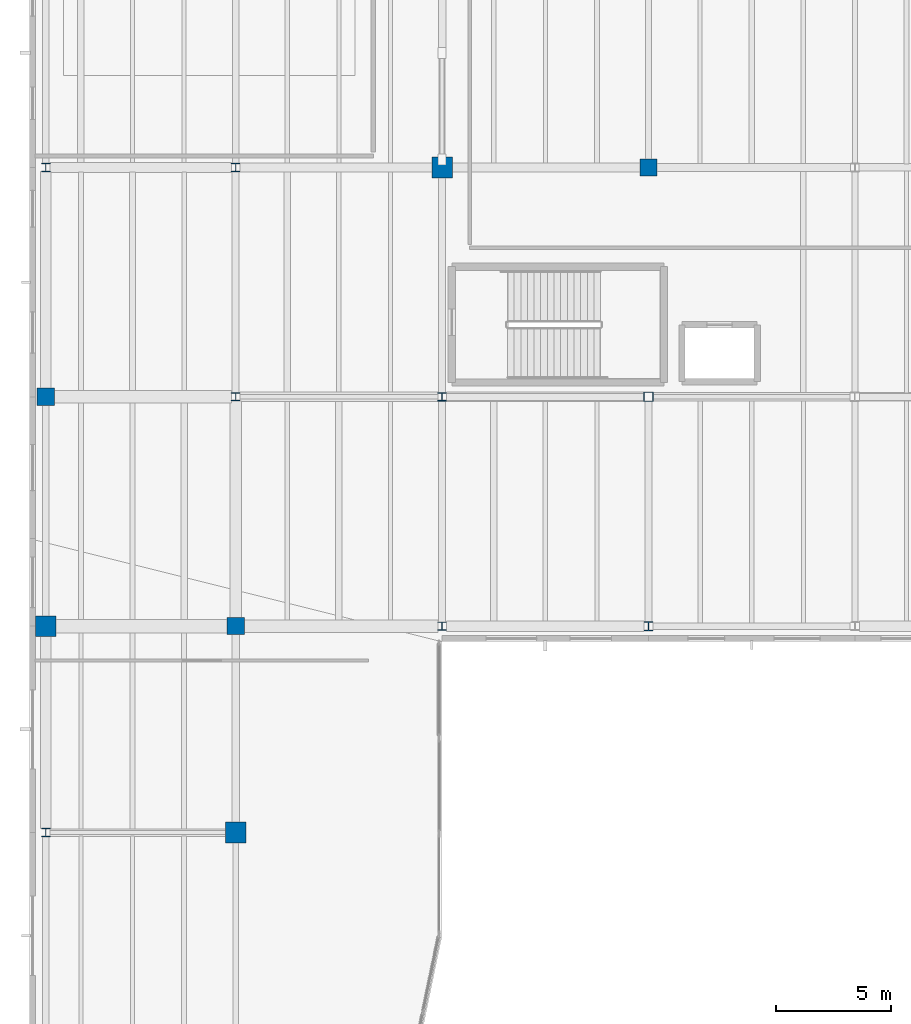
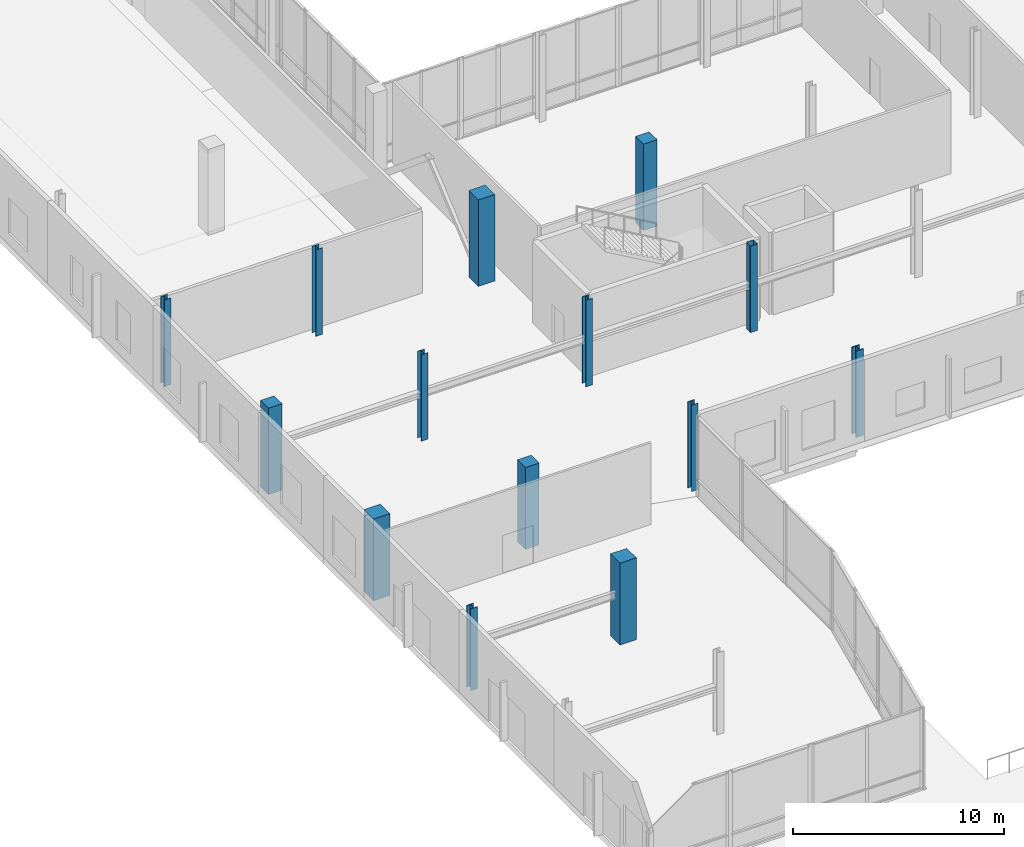
# One storey, part 3 of 88: 14 columns.
"""IFC4 building model written with IfcOpenShell, lengths in metres."""

from ifc_helpers import new_model, si_unit, direction, frame, origin, origin_2d, place, context, subcontext, project, spatial, rectangle, hollow_rectangle, i_section, extrude, material, material_profile, profile_set, type_object, element, save


model = new_model("IFC4")

# Units and contexts
model_context = context("Model", 3, precision=1e-05, world=origin(), true_north=direction((0.0, 1.0)))
body_context = subcontext(model_context, "Body", "Model", "MODEL_VIEW")
ifc_project = project(units=[si_unit("LENGTHUNIT", "METRE"), si_unit("AREAUNIT", "SQUARE_METRE"), si_unit("VOLUMEUNIT", "CUBIC_METRE"), si_unit("PLANEANGLEUNIT", "RADIAN"), si_unit("MASSUNIT", "GRAM", prefix="KILO")], contexts=[model_context])

# Site, building, storey
site_placement = place(None, origin())
site = spatial("IfcSite", under=ifc_project, at=site_placement, CompositionType="ELEMENT")
building_placement = place(site_placement, origin())
building = spatial("IfcBuilding", under=site, at=building_placement, Name="Trimount Lyric Opera House", CompositionType="ELEMENT")
storey_placement = place(building_placement, origin())
storey = spatial("IfcBuildingStorey", under=building, at=storey_placement, Name="L00", CompositionType="ELEMENT", Elevation=0.0)

# Columns
ifc_material_1 = material(Name="Steel ASTM A992 Grade 50", Category="steel")
ifc_material_profile_1 = material_profile(ifc_material_1, i_section(OverallWidth=0.406005859375, OverallDepth=0.4169921875, WebThickness=0.02978515625, FlangeThickness=0.048095703125, FilletRadius=0.01806640625, at=origin_2d()), Name="W14X257")
ifc_profile_set_1 = profile_set([ifc_material_profile_1], Name="Steel ASTM A992 Grade 50")
column_type_1 = type_object("IfcColumnType", Name="C-02", PredefinedType="COLUMN", material=ifc_profile_set_1)
column_1_placement = place(storey_placement, frame((27.0, 44.0, 0.0), z_axis=(0.0, 0.0, 1.0), x_axis=(1.0, 0.0, 0.0)))
element("IfcColumn", 1, at=column_1_placement, inside=storey, type_object=column_type_1, Name="L00 column 4/F", PredefinedType="COLUMN", context=body_context, shape_type="SweptSolid", body=[
    extrude(i_section(OverallWidth=0.406005859375, OverallDepth=0.4169921875, WebThickness=0.02978515625, FlangeThickness=0.048095703125, FilletRadius=0.01806640625, at=origin_2d()), origin(), (0.0, 0.0, 1.0), 5.0),
])
ifc_material_2 = material(Name="Steel ASTM A992 Grade 50", Category="steel")
ifc_material_profile_2 = material_profile(ifc_material_2, i_section(OverallWidth=0.373046875, OverallDepth=0.367919921875, WebThickness=0.014892578125, FlangeThickness=0.02392578125, FilletRadius=0.014892578125, at=origin_2d()), Name="W14X120")
ifc_profile_set_2 = profile_set([ifc_material_profile_2], Name="Steel ASTM A992 Grade 50")
column_type_2 = type_object("IfcColumnType", Name="C-04", PredefinedType="COLUMN", material=ifc_profile_set_2)
column_2_placement = place(storey_placement, frame((0.719970703125, 35.0, 0.0), z_axis=(0.0, 0.0, 1.0), x_axis=(1.0, 0.0, 0.0)))
element("IfcColumn", 2, at=column_2_placement, inside=storey, type_object=column_type_2, Name="L00 column 1/E", PredefinedType="COLUMN", context=body_context, shape_type="SweptSolid", body=[
    extrude(i_section(OverallWidth=0.373046875, OverallDepth=0.367919921875, WebThickness=0.014892578125, FlangeThickness=0.02392578125, FilletRadius=0.014892578125, at=origin_2d()), origin(), (0.0, 0.0, 1.0), 4.72998046875),
])
for number, where, z_axis, x_axis, name in (
    (3, (9.0, 64.0, 0.0), (0.0, 0.0, 1.0), (1.0, 0.0, 0.0), "L00 column 2/H"),
    (4, (18.0, 54.0, 0.0), (0.0, 0.0, 1.0), (1.0, 0.0, 0.0), "L00 column 3/G"),
):
    element("IfcColumn", number, at=place(storey_placement, frame(where, z_axis=z_axis, x_axis=x_axis)), inside=storey, type_object=column_type_2, Name=name, PredefinedType="COLUMN", context=body_context, shape_type="SweptSolid", body=[
        extrude(i_section(OverallWidth=0.373046875, OverallDepth=0.367919921875, WebThickness=0.014892578125, FlangeThickness=0.02392578125, FilletRadius=0.014892578125, at=origin_2d()), origin(), (0.0, 0.0, 1.0), 5.0),
    ])
ifc_material_3 = material(Name="Steel ASTM A500 Grade C", Category="steel")
ifc_material_profile_3 = material_profile(ifc_material_3, hollow_rectangle(XDim=0.406494140625, YDim=0.406494140625, WallThickness=0.014892578125, InnerFilletRadius=0.01513671875, OuterFilletRadius=0.030029296875, at=origin_2d()), Name="HSS406.4X406.4X15.9")
ifc_profile_set_3 = profile_set([ifc_material_profile_3], Name="Steel ASTM A500 Grade C")
column_type_3 = type_object("IfcColumnType", Name="C-07", PredefinedType="COLUMN", material=ifc_profile_set_3)
column_3_placement = place(storey_placement, frame((27.0, 54.0, 0.0), z_axis=(0.0, 0.0, 1.0), x_axis=(1.0, 0.0, 0.0)))
element("IfcColumn", 5, at=column_3_placement, inside=storey, type_object=column_type_3, Name="L00 column 4/G", PredefinedType="COLUMN", context=body_context, shape_type="SweptSolid", body=[
    extrude(hollow_rectangle(XDim=0.406494140625, YDim=0.406494140625, WallThickness=0.014892578125, InnerFilletRadius=0.01513671875, OuterFilletRadius=0.030029296875, at=origin_2d()), origin(), (0.0, 0.0, 1.0), 5.0),
])
ifc_material_4 = material(Name="Steel ASTM A992 Grade 50", Category="steel")
ifc_material_profile_4 = material_profile(ifc_material_4, i_section(OverallWidth=0.367919921875, OverallDepth=0.35595703125, WebThickness=0.01123046875, FlangeThickness=0.01806640625, FilletRadius=0.014892578125, at=origin_2d()), Name="W14X90")
ifc_profile_set_4 = profile_set([ifc_material_profile_4], Name="Steel ASTM A992 Grade 50")
column_type_4 = type_object("IfcColumnType", Name="C-09", PredefinedType="COLUMN", material=ifc_profile_set_4)
for number, where, z_axis, x_axis, name in (
    (6, (0.719970703125, 64.0, 0.0), (0.0, 0.0, 1.0), (1.0, 0.0, 0.0), "L00 column 1/H"),
    (7, (9.0, 54.0, 0.0), (0.0, 0.0, 1.0), (1.0, 0.0, 0.0), "L00 column 2/G"),
    (8, (18.0, 44.0, 0.0), (0.0, 0.0, 1.0), (1.0, 0.0, 0.0), "L00 column 3/F"),
):
    element("IfcColumn", number, at=place(storey_placement, frame(where, z_axis=z_axis, x_axis=x_axis)), inside=storey, type_object=column_type_4, Name=name, PredefinedType="COLUMN", context=body_context, shape_type="SweptSolid", body=[
        extrude(i_section(OverallWidth=0.367919921875, OverallDepth=0.35595703125, WebThickness=0.01123046875, FlangeThickness=0.01806640625, FilletRadius=0.014892578125, at=origin_2d()), origin(), (0.0, 0.0, 1.0), 5.0),
    ])
ifc_material_5 = material(Name="Concrete C50/60", Category="concrete")
ifc_material_profile_5 = material_profile(ifc_material_5, rectangle(XDim=0.89990234375, YDim=0.89990234375, at=origin_2d()), Name="RC900X900")
ifc_profile_set_5 = profile_set([ifc_material_profile_5], Name="Concrete C50/60")
column_type_5 = type_object("IfcColumnType", Name="C-13", PredefinedType="COLUMN", material=ifc_profile_set_5)
for number, where, z_axis, x_axis, name in (
    (9, (0.719970703125, 44.0, 0.0), (0.0, 0.0, 1.0), (1.0, 0.0, 0.0), "L00 column 1/F"),
    (10, (9.0, 35.0, 0.0), (0.0, 0.0, 1.0), (1.0, 0.0, 0.0), "L00 column 2/E"),
):
    element("IfcColumn", number, at=place(storey_placement, frame(where, z_axis=z_axis, x_axis=x_axis)), inside=storey, type_object=column_type_5, Name=name, PredefinedType="COLUMN", context=body_context, shape_type="SweptSolid", body=[
        extrude(rectangle(XDim=0.89990234375, YDim=0.89990234375, at=origin_2d()), origin(), (0.0, 0.0, 1.0), 4.72998046875),
    ])
column_4_placement = place(storey_placement, frame((18.0, 64.0, 0.0), z_axis=(0.0, 0.0, 1.0), x_axis=(1.0, 0.0, 0.0)))
element("IfcColumn", 11, at=column_4_placement, inside=storey, type_object=column_type_5, Name="L00 column 3/H", PredefinedType="COLUMN", context=body_context, shape_type="SweptSolid", body=[
    extrude(rectangle(XDim=0.89990234375, YDim=0.89990234375, at=origin_2d()), origin(), (0.0, 0.0, 1.0), 5.0),
])
ifc_material_6 = material(Name="Concrete C40/50", Category="concrete")
ifc_material_profile_6 = material_profile(ifc_material_6, rectangle(XDim=0.75, YDim=0.75, at=origin_2d()), Name="RC750X750")
ifc_profile_set_6 = profile_set([ifc_material_profile_6], Name="Concrete C40/50")
column_type_6 = type_object("IfcColumnType", Name="C-15", PredefinedType="COLUMN", material=ifc_profile_set_6)
column_5_placement = place(storey_placement, frame((0.719970703125, 54.0, 0.0), z_axis=(0.0, 0.0, 1.0), x_axis=(1.0, 0.0, 0.0)))
element("IfcColumn", 12, at=column_5_placement, inside=storey, type_object=column_type_6, Name="L00 column 1/G", PredefinedType="COLUMN", context=body_context, shape_type="SweptSolid", body=[
    extrude(rectangle(XDim=0.75, YDim=0.75, at=origin_2d()), origin(), (0.0, 0.0, 1.0), 5.0),
])
column_6_placement = place(storey_placement, frame((9.0, 44.0, 0.0), z_axis=(0.0, 0.0, 1.0), x_axis=(1.0, 0.0, 0.0)))
element("IfcColumn", 13, at=column_6_placement, inside=storey, type_object=column_type_6, Name="L00 column 2/F", PredefinedType="COLUMN", context=body_context, shape_type="SweptSolid", body=[
    extrude(rectangle(XDim=0.75, YDim=0.75, at=origin_2d()), origin(), (0.0, 0.0, 1.0), 4.72998046875),
])
column_7_placement = place(storey_placement, frame((27.0, 64.0, 0.0), z_axis=(0.0, 0.0, 1.0), x_axis=(1.0, 0.0, 0.0)))
element("IfcColumn", 14, at=column_7_placement, inside=storey, type_object=column_type_6, Name="L00 column 4/H", PredefinedType="COLUMN", context=body_context, shape_type="SweptSolid", body=[
    extrude(rectangle(XDim=0.75, YDim=0.75, at=origin_2d()), origin(), (0.0, 0.0, 1.0), 5.0),
])

save(model, "model.ifc")
